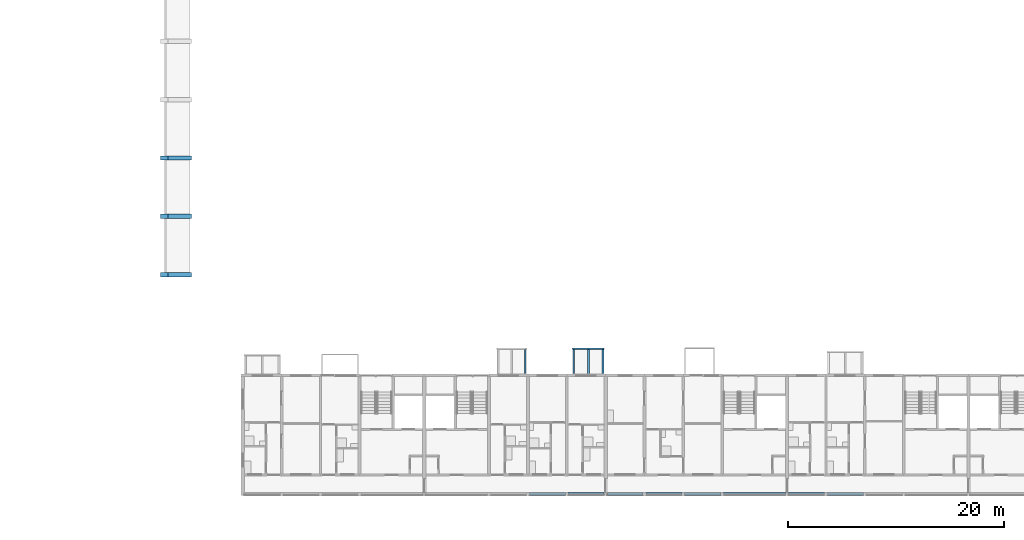
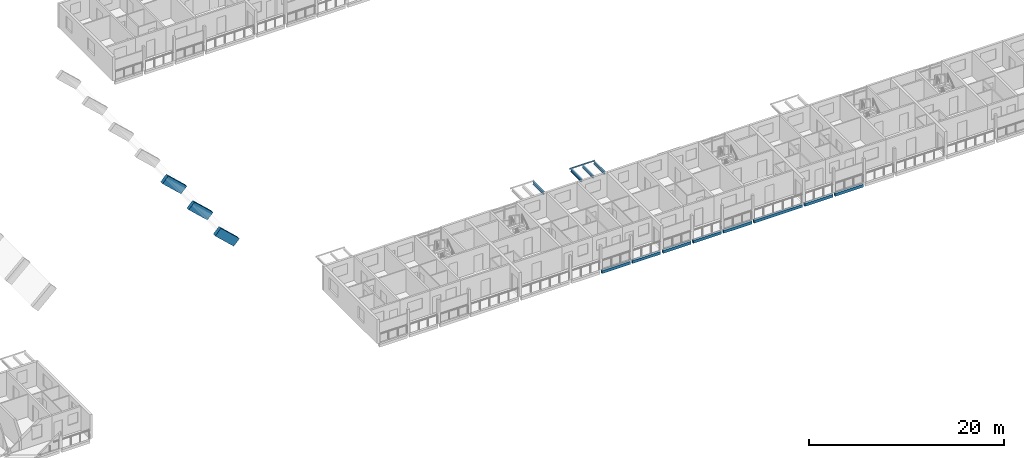
# One storey, part 15 of 98: 16 beams.
"""IFC4 building model written with IfcOpenShell, lengths in metres."""

from ifc_helpers import new_model, si_unit, direction, frame, origin, origin_2d, place, context, subcontext, project, spatial, rectangle, hollow_rectangle, i_section, extrude, material, material_profile, profile_set, type_object, element, save


model = new_model("IFC4")

# Units and contexts
model_context = context("Model", 3, precision=1e-05, world=origin(), true_north=direction((0.0, 1.0)))
body_context = subcontext(model_context, "Body", "Model", "MODEL_VIEW")
ifc_project = project(units=[si_unit("LENGTHUNIT", "METRE"), si_unit("AREAUNIT", "SQUARE_METRE"), si_unit("VOLUMEUNIT", "CUBIC_METRE"), si_unit("PLANEANGLEUNIT", "RADIAN"), si_unit("MASSUNIT", "GRAM", prefix="KILO")], contexts=[model_context])

# Site, building, storey
site_placement = place(None, origin())
site = spatial("IfcSite", under=ifc_project, at=site_placement, CompositionType="ELEMENT")
building_placement = place(site_placement, origin())
building = spatial("IfcBuilding", under=site, at=building_placement, Name="Ridgestep Commons", CompositionType="ELEMENT")
storey_placement = place(building_placement, frame((0.0, 0.0, 12.0)))
storey = spatial("IfcBuildingStorey", under=building, at=storey_placement, Name="L04", CompositionType="ELEMENT", Elevation=12.0)

# Beams
ifc_material_1 = material(Name="Precast concrete C50/60", Category="concrete")
ifc_material_profile_1 = material_profile(ifc_material_1, rectangle(XDim=0.39990234375, YDim=1.0, at=origin_2d()), Name="Hall vault rib 400 x 1000")
ifc_profile_set_1 = profile_set([ifc_material_profile_1], Name="Precast concrete C50/60")
beam_type_1 = type_object("IfcBeamType", Name="Hall vault rib 400 x 1000", PredefinedType="BEAM", material=ifc_profile_set_1)
for number, where, z_axis, x_axis, name in (
    (1, (139.52001953125, 32.199951171875, 4.19970703125), (0.732296720252, 0.0, -0.680985692587), (0.0, 1.0, 0.0), "Hall vault rib R1"),
    (2, (139.52001953125, 37.60009765625, 4.19970703125), (0.732296720252, 0.0, -0.680985692587), (0.0, 1.0, 0.0), "Hall vault rib R2"),
    (3, (139.52001953125, 43.0, 4.19970703125), (0.732296720252, 0.0, -0.680985692587), (0.0, 1.0, 0.0), "Hall vault rib R3"),
):
    element("IfcBeam", number, at=place(storey_placement, frame(where, z_axis=z_axis, x_axis=x_axis)), inside=storey, type_object=beam_type_1, Name=name, PredefinedType="BEAM", context=body_context, shape_type="SweptSolid", body=[
        extrude(rectangle(XDim=0.39990234375, YDim=1.0, at=origin_2d()), origin(), (0.0, 0.0, 1.0), 3.011962890625),
    ])
ifc_material_2 = material(Name="Precast concrete C40/50", Category="concrete")
ifc_material_profile_2 = material_profile(ifc_material_2, rectangle(XDim=0.25, YDim=0.35009765625, at=origin_2d()), Name="PC 250x350")
ifc_profile_set_2 = profile_set([ifc_material_profile_2], Name="Precast concrete C40/50")
beam_type_2 = type_object("IfcBeamType", Name="Loggia edge beam 250 x 350", PredefinedType="SPANDREL", material=ifc_profile_set_2)
beam_1_placement = place(storey_placement, frame((173.324951171875, 11.875, -0.375), z_axis=(1.0, 0.0, 0.0), x_axis=(0.0, 1.0, 0.0)))
element("IfcBeam", 4, at=beam_1_placement, inside=storey, type_object=beam_type_2, Name="Loggia edge beam D2T2 L04", PredefinedType="SPANDREL", context=body_context, shape_type="SweptSolid", body=[
    extrude(rectangle(XDim=0.25, YDim=0.35009765625, at=origin_2d()), origin(), (0.0, 0.0, 1.0), 3.35009765625),
])
for number, where, z_axis, x_axis, name in (
    (5, (176.925048828125, 11.875, -0.375), (1.0, 0.0, 0.0), (0.0, 1.0, 0.0), "Loggia edge beam D2T1 L04"),
    (6, (180.550048828125, 11.875, -0.375), (1.0, 0.0, 0.0), (0.0, 1.0, 0.0), "Loggia edge beam D3T1 L04"),
):
    element("IfcBeam", number, at=place(storey_placement, frame(where, z_axis=z_axis, x_axis=x_axis)), inside=storey, type_object=beam_type_2, Name=name, PredefinedType="SPANDREL", context=body_context, shape_type="SweptSolid", body=[
        extrude(rectangle(XDim=0.25, YDim=0.35009765625, at=origin_2d()), origin(), (0.0, 0.0, 1.0), 3.324951171875),
    ])
beam_2_placement = place(storey_placement, frame((184.125, 11.875, -0.375), z_axis=(1.0, 0.0, 0.0), x_axis=(0.0, 1.0, 0.0)))
element("IfcBeam", 7, at=beam_2_placement, inside=storey, type_object=beam_type_2, Name="Loggia edge beam D3T2 L04", PredefinedType="SPANDREL", context=body_context, shape_type="SweptSolid", body=[
    extrude(rectangle(XDim=0.25, YDim=0.35009765625, at=origin_2d()), origin(), (0.0, 0.0, 1.0), 3.35009765625),
])
beam_3_placement = place(storey_placement, frame((187.72509765625, 11.875, -0.375), z_axis=(1.0, 0.0, 0.0), x_axis=(0.0, 1.0, 0.0)))
element("IfcBeam", 8, at=beam_3_placement, inside=storey, type_object=beam_type_2, Name="Loggia edge beam D3T3 L04", PredefinedType="SPANDREL", context=body_context, shape_type="SweptSolid", body=[
    extrude(rectangle(XDim=0.25, YDim=0.35009765625, at=origin_2d()), origin(), (0.0, 0.0, 1.0), 3.349853515625),
])
beam_4_placement = place(storey_placement, frame((191.324951171875, 11.875, -0.375), z_axis=(1.0, 0.0, 0.0), x_axis=(0.0, 1.0, 0.0)))
element("IfcBeam", 9, at=beam_4_placement, inside=storey, type_object=beam_type_2, Name="Loggia edge beam D3C L04", PredefinedType="SPANDREL", context=body_context, shape_type="SweptSolid", body=[
    extrude(rectangle(XDim=0.25, YDim=0.35009765625, at=origin_2d()), origin(), (0.0, 0.0, 1.0), 5.72509765625),
])
beam_5_placement = place(storey_placement, frame((197.35009765625, 11.875, -0.375), z_axis=(1.0, 0.0, 0.0), x_axis=(0.0, 1.0, 0.0)))
element("IfcBeam", 10, at=beam_5_placement, inside=storey, type_object=beam_type_2, Name="Loggia edge beam D4T1 L04", PredefinedType="SPANDREL", context=body_context, shape_type="SweptSolid", body=[
    extrude(rectangle(XDim=0.25, YDim=0.35009765625, at=origin_2d()), origin(), (0.0, 0.0, 1.0), 3.324951171875),
])
beam_6_placement = place(storey_placement, frame((200.925048828125, 11.875, -0.375), z_axis=(1.0, 0.0, 0.0), x_axis=(0.0, 1.0, 0.0)))
element("IfcBeam", 11, at=beam_6_placement, inside=storey, type_object=beam_type_2, Name="Loggia edge beam D4T2 L04", PredefinedType="SPANDREL", context=body_context, shape_type="SweptSolid", body=[
    extrude(rectangle(XDim=0.25, YDim=0.35009765625, at=origin_2d()), origin(), (0.0, 0.0, 1.0), 3.349853515625),
])
ifc_material_3 = material(Name="Weathering steel S355J2W", Category="steel")
ifc_material_profile_3 = material_profile(ifc_material_3, i_section(OverallWidth=0.171142578125, OverallDepth=0.351318359375, WebThickness=0.007080078125, FlangeThickness=0.009765625, FilletRadius=0.01025390625, at=origin_2d()), Name="UB 356x171x45")
ifc_profile_set_3 = profile_set([ifc_material_profile_3], Name="Weathering steel S355J2W")
beam_type_3 = type_object("IfcBeamType", Name="Tray arm UB 356x171x45", PredefinedType="BEAM", material=ifc_profile_set_3)
for number, where, z_axis, x_axis, name in (
    (12, (177.449951171875, 23.014892578125, 2.814208984375), (0.0, 1.0, 0.0), (-1.0, 0.0, 0.0), "Tray arm D2T1-05.1"),
    (13, (178.800048828125, 23.014892578125, 2.814208984375), (0.0, 1.0, 0.0), (-1.0, 0.0, 0.0), "Tray arm D2T1-05.2"),
    (14, (180.14990234375, 23.014892578125, 2.814208984375), (0.0, 1.0, 0.0), (-1.0, 0.0, 0.0), "Tray arm D2T1-05.3"),
    (15, (172.949951171875, 23.014892578125, 2.814208984375), (0.0, 1.0, 0.0), (-1.0, 0.0, 0.0), "Tray arm D2T3-05.3"),
):
    element("IfcBeam", number, at=place(storey_placement, frame(where, z_axis=z_axis, x_axis=x_axis)), inside=storey, type_object=beam_type_3, Name=name, PredefinedType="BEAM", context=body_context, shape_type="SweptSolid", body=[
        extrude(i_section(OverallWidth=0.171142578125, OverallDepth=0.351318359375, WebThickness=0.007080078125, FlangeThickness=0.009765625, FilletRadius=0.01025390625, at=origin_2d()), origin(), (0.0, 0.0, 1.0), 2.26513671875),
    ])
ifc_material_4 = material(Name="Weathering steel S355J2W", Category="steel")
ifc_material_profile_4 = material_profile(ifc_material_4, hollow_rectangle(XDim=0.1201171875, YDim=0.1201171875, WallThickness=0.00634765625, InnerFilletRadius=0.00634765625, OuterFilletRadius=0.009521484375, at=origin_2d()), Name="SHS 120x120x6.3")
ifc_profile_set_4 = profile_set([ifc_material_profile_4], Name="Weathering steel S355J2W")
beam_type_4 = type_object("IfcBeamType", Name="Tray edge member SHS 120x120x6.3", PredefinedType="BEAM", material=ifc_profile_set_4)
beam_7_placement = place(storey_placement, frame((177.330078125, 25.340087890625, 2.929931640625), z_axis=(1.0, 0.0, 0.0), x_axis=(0.0, 0.0, 1.0)))
element("IfcBeam", 16, at=beam_7_placement, inside=storey, type_object=beam_type_4, Name="Tray edge member D2T1-05", PredefinedType="BEAM", context=body_context, shape_type="SweptSolid", body=[
    extrude(hollow_rectangle(XDim=0.1201171875, YDim=0.1201171875, WallThickness=0.00634765625, InnerFilletRadius=0.00634765625, OuterFilletRadius=0.009521484375, at=origin_2d()), origin(), (0.0, 0.0, 1.0), 2.93994140625),
])

save(model, "model.ifc")
